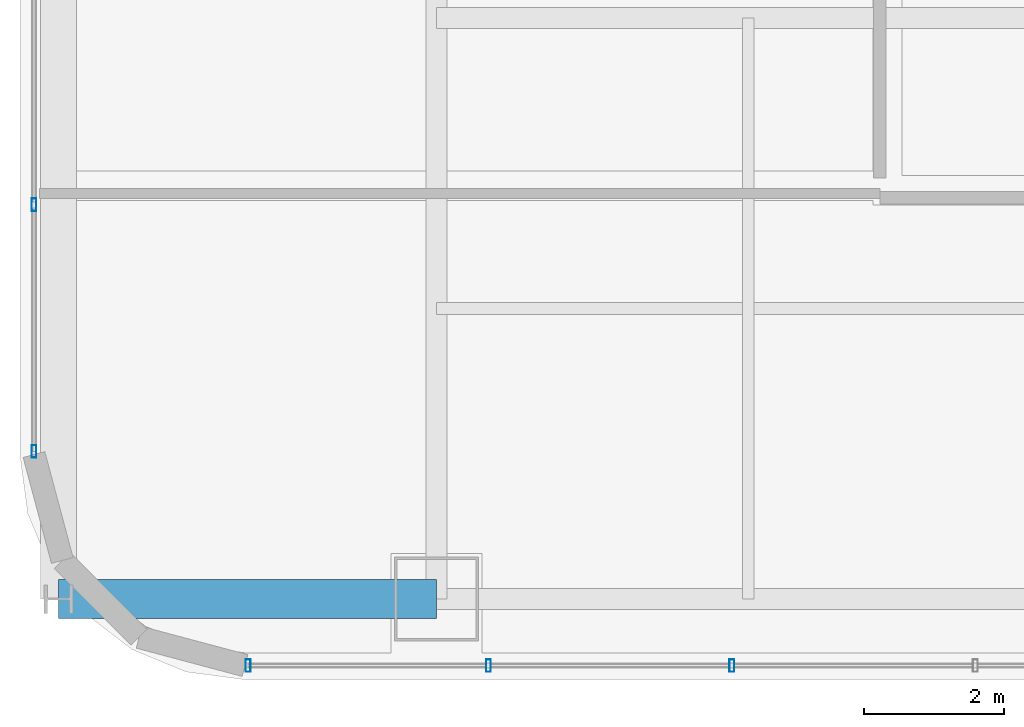
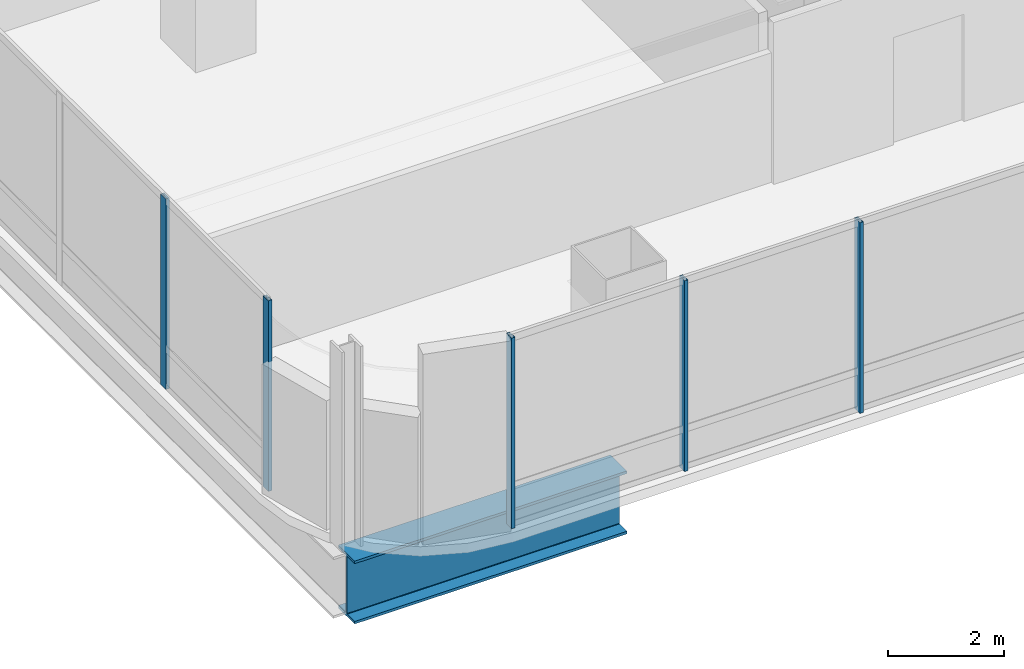
# One storey, part 2 of 43: 5 members, 1 beam, 2 elements without a shape of their own.
"""IFC4 building model written with IfcOpenShell, lengths in metres."""

from ifc_helpers import new_model, si_unit, direction, frame, origin, origin_2d, place, context, subcontext, project, spatial, hollow_rectangle, i_section, extrude, material, material_profile, profile_set, type_object, element, aggregate, save


model = new_model("IFC4")

# Units and contexts
model_context = context("Model", 3, precision=1e-05, world=origin(), true_north=direction((0.0, 1.0)))
body_context = subcontext(model_context, "Body", "Model", "MODEL_VIEW")
ifc_project = project(units=[si_unit("LENGTHUNIT", "METRE"), si_unit("AREAUNIT", "SQUARE_METRE"), si_unit("VOLUMEUNIT", "CUBIC_METRE"), si_unit("PLANEANGLEUNIT", "RADIAN"), si_unit("MASSUNIT", "GRAM", prefix="KILO")], contexts=[model_context])

# Site, building, storey
site_placement = place(None, origin())
site = spatial("IfcSite", under=ifc_project, at=site_placement, CompositionType="ELEMENT")
building_placement = place(site_placement, origin())
building = spatial("IfcBuilding", under=site, at=building_placement, Name="Punatoya Terracotta Tower", CompositionType="ELEMENT")
storey_placement = place(building_placement, frame((0.0, 0.0, 300.60009765625)))
storey = spatial("IfcBuildingStorey", under=building, at=storey_placement, Name="L71", CompositionType="ELEMENT", Elevation=300.60009765625)

# Beam
ifc_material_1 = material(Name="Steel S460", Category="steel")
ifc_material_profile_1 = material_profile(ifc_material_1, i_section(OverallWidth=0.56005859375, OverallDepth=1.320068359375, WebThickness=0.035888671875, FlangeThickness=0.054931640625, FilletRadius=0.01806640625, at=origin_2d()))
ifc_profile_set_1 = profile_set([ifc_material_profile_1], Name="Steel S460")
beam_type = type_object("IfcBeamType", Name="BM-TG-BLK", PredefinedType="BEAM", material=ifc_profile_set_1)
beam_placement = place(storey_placement, frame((-24.5, -17.5, -0.860107421875), z_axis=(1.0, 0.0, 0.0), x_axis=(0.0, 1.0, 0.0)))
element("IfcBeam", 1, at=beam_placement, inside=storey, type_object=beam_type, Name="BM-L71-CANT-W1", PredefinedType="BEAM", context=body_context, shape_type="SweptSolid", body=[
    extrude(i_section(OverallWidth=0.56005859375, OverallDepth=1.320068359375, WebThickness=0.035888671875, FlangeThickness=0.054931640625, FilletRadius=0.01806640625, at=origin_2d()), origin(), (0.0, 0.0, 1.0), 5.39990234375),
])

# Curtain wall, members
ifc_material_2 = material(Name="Aluminium 6063-T6 + Double Low-E Glass", Category="aluminium")
curtain_wall_type = type_object("IfcCurtainWallType", Name="CW-M3", PredefinedType="NOTDEFINED", material=ifc_material_2)
curtain_wall_1_placement = place(storey_placement, origin())
curtain_wall_1 = element("IfcCurtainWall", 2, at=curtain_wall_1_placement, inside=storey, type_object=curtain_wall_type, Name="L71 Curtain Wall CW-L71-S01-1", PredefinedType="NOTDEFINED")
ifc_material_3 = material(Name="Aluminium 6063-T6", Category="aluminium")
ifc_material_profile_2 = material_profile(ifc_material_3, hollow_rectangle(XDim=0.070068359375, YDim=0.179931640625, WallThickness=0.00390625, at=origin_2d()))
ifc_profile_set_2 = profile_set([ifc_material_profile_2], Name="Aluminium 6063-T6")
member_type = type_object("IfcMemberType", Name="CW-MUL-M3", PredefinedType="MULLION", material=ifc_profile_set_2)
member_1_placement = place(storey_placement, frame((-21.7919921875, -18.449951171875, 0.0), z_axis=(0.0, 0.0, 1.0), x_axis=(1.0, 0.0, 0.0)))
member_1 = element("IfcMember", 3, at=member_1_placement, type_object=member_type, Name="CW-L71-S01-1 Mullion 00", PredefinedType="MULLION", context=body_context, shape_type="SweptSolid", body=[
    extrude(hollow_rectangle(XDim=0.070068359375, YDim=0.179931640625, WallThickness=0.00390625, at=origin_2d()), origin(), (0.0, 0.0, 1.0), 4.0),
])
member_2_placement = place(storey_placement, frame((-18.359619140625, -18.449951171875, 0.0), z_axis=(0.0, 0.0, 1.0), x_axis=(1.0, 0.0, 0.0)))
member_2 = element("IfcMember", 4, at=member_2_placement, type_object=member_type, Name="CW-L71-S01-1 Mullion 01", PredefinedType="MULLION", context=body_context, shape_type="SweptSolid", body=[
    extrude(hollow_rectangle(XDim=0.070068359375, YDim=0.179931640625, WallThickness=0.00390625, at=origin_2d()), origin(), (0.0, 0.0, 1.0), 4.0),
])
member_3_placement = place(storey_placement, frame((-14.882080078125, -18.449951171875, 0.0), z_axis=(0.0, 0.0, 1.0), x_axis=(1.0, 0.0, 0.0)))
member_3 = element("IfcMember", 5, at=member_3_placement, type_object=member_type, Name="CW-L71-S01-1 Mullion 02", PredefinedType="MULLION", context=body_context, shape_type="SweptSolid", body=[
    extrude(hollow_rectangle(XDim=0.070068359375, YDim=0.179931640625, WallThickness=0.00390625, at=origin_2d()), origin(), (0.0, 0.0, 1.0), 4.0),
])
aggregate(curtain_wall_1, [member_1, member_2, member_3])

curtain_wall_2_placement = place(storey_placement, origin())
curtain_wall_2 = element("IfcCurtainWall", 6, at=curtain_wall_2_placement, inside=storey, type_object=curtain_wall_type, Name="L71 Curtain Wall CW-L71-W13-1", PredefinedType="NOTDEFINED")
member_4_placement = place(storey_placement, frame((-24.85009765625, -11.869384765625, 0.0), z_axis=(0.0, 0.0, 1.0), x_axis=(1.0, 0.0, 0.0)))
member_4 = element("IfcMember", 7, at=member_4_placement, type_object=member_type, Name="CW-L71-W13-1 Mullion 09", PredefinedType="MULLION", context=body_context, shape_type="SweptSolid", body=[
    extrude(hollow_rectangle(XDim=0.070068359375, YDim=0.179931640625, WallThickness=0.00390625, at=origin_2d()), origin(), (0.0, 0.0, 1.0), 4.0),
])
member_5_placement = place(storey_placement, frame((-24.85009765625, -15.391845703125, 0.0), z_axis=(0.0, 0.0, 1.0), x_axis=(1.0, 0.0, 0.0)))
member_5 = element("IfcMember", 8, at=member_5_placement, type_object=member_type, Name="CW-L71-W13-1 Mullion 10", PredefinedType="MULLION", context=body_context, shape_type="SweptSolid", body=[
    extrude(hollow_rectangle(XDim=0.070068359375, YDim=0.179931640625, WallThickness=0.00390625, at=origin_2d()), origin(), (0.0, 0.0, 1.0), 4.0),
])
aggregate(curtain_wall_2, [member_4, member_5])

save(model, "model.ifc")
